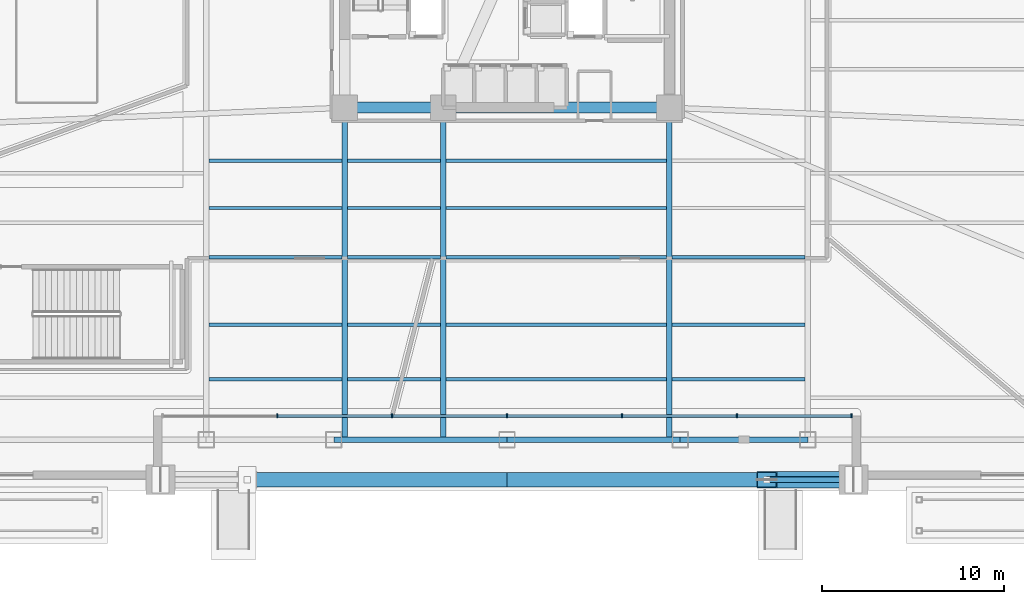
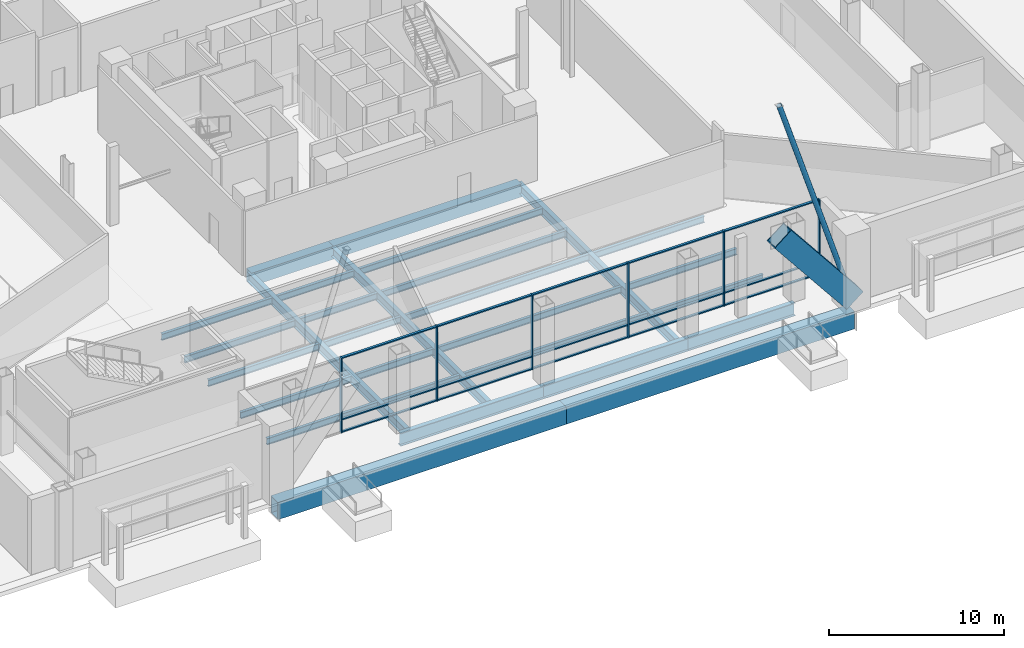
# One storey, part 9 of 27: 29 beams, 22 members, 1 element without a shape of its own.
"""IFC4 building model written with IfcOpenShell, lengths in metres."""

from ifc_helpers import new_model, si_unit, direction, frame, origin, origin_2d, place, context, subcontext, project, spatial, rectangle, hollow_rectangle, hollow_circle, i_section, extrude, material, layer, layer_set, material_profile, profile_set, type_object, element, aggregate, save


model = new_model("IFC4")

# Units and contexts
model_context = context("Model", 3, precision=1e-05, world=origin(), true_north=direction((0.0, 1.0)))
body_context = subcontext(model_context, "Body", "Model", "MODEL_VIEW")
ifc_project = project(units=[si_unit("LENGTHUNIT", "METRE"), si_unit("AREAUNIT", "SQUARE_METRE"), si_unit("VOLUMEUNIT", "CUBIC_METRE"), si_unit("PLANEANGLEUNIT", "RADIAN"), si_unit("MASSUNIT", "GRAM", prefix="KILO")], contexts=[model_context])

# Site, building, storey
site_placement = place(None, origin())
site = spatial("IfcSite", under=ifc_project, at=site_placement, CompositionType="ELEMENT")
building_placement = place(site_placement, origin())
building = spatial("IfcBuilding", under=site, at=building_placement, Name="Tharavind Bronze Gate", CompositionType="ELEMENT")
storey_placement = place(building_placement, origin())
storey = spatial("IfcBuildingStorey", under=building, at=storey_placement, Name="L00", CompositionType="ELEMENT", Elevation=0.0)

# Beams
ifc_material_1 = material(Name="Steel S460", Category="steel")
ifc_material_profile_1 = material_profile(ifc_material_1, hollow_rectangle(XDim=0.89990234375, YDim=1.39990234375, WallThickness=0.054931640625, at=origin_2d()), Name="RHS1400X900X55")
ifc_profile_set_1 = profile_set([ifc_material_profile_1], Name="Steel S460")
beam_type_1 = type_object("IfcBeamType", Name="ARCH RIB GIRDER 1400X900", PredefinedType="USERDEFINED", material=ifc_profile_set_1)
beam_1_placement = place(storey_placement, frame((14.25, -28.0, 6.427978515625), z_axis=(0.625306290614, 0.0, -0.780379422409), x_axis=(0.0, 1.0, 0.0)))
element("IfcBeam", 1, at=beam_1_placement, inside=storey, type_object=beam_type_1, Name="Monumental bronze arch rib chord 8", ObjectType="GIRDER", PredefinedType="USERDEFINED", context=body_context, shape_type="SweptSolid", body=[
    extrude(hollow_rectangle(XDim=0.89990234375, YDim=1.39990234375, WallThickness=0.054931640625, at=origin_2d()), origin(), (0.0, 0.0, 1.0), 7.59619140625),
])
ifc_material_profile_2 = material_profile(ifc_material_1, hollow_rectangle(XDim=0.800048828125, YDim=1.199951171875, WallThickness=0.050048828125, at=origin_2d()), Name="RHS1200X800X50")
ifc_profile_set_2 = profile_set([ifc_material_profile_2], Name="Steel S460")
beam_type_2 = type_object("IfcBeamType", Name="ARCH TIE BEAM 1200X800", PredefinedType="BEAM", material=ifc_profile_set_2)
for number, where, z_axis, x_axis, name in (
    (2, (-19.0, -28.0, -0.89990234375), (1.0, 0.0, 0.0), (0.0, 1.0, 0.0), "Monumental arch base tie girder 1"),
    (3, (0.0, -28.0, -0.89990234375), (1.0, 0.0, 0.0), (0.0, 1.0, 0.0), "Monumental arch base tie girder 2"),
):
    element("IfcBeam", number, at=place(storey_placement, frame(where, z_axis=z_axis, x_axis=x_axis)), inside=storey, type_object=beam_type_2, Name=name, PredefinedType="BEAM", context=body_context, shape_type="SweptSolid", body=[
        extrude(hollow_rectangle(XDim=0.800048828125, YDim=1.199951171875, WallThickness=0.050048828125, at=origin_2d()), origin(), (0.0, 0.0, 1.0), 19.0),
    ])
ifc_material_2 = material(Name="Concrete C50/60", Category="concrete")
ifc_material_profile_3 = material_profile(ifc_material_2, rectangle(XDim=0.60009765625, YDim=0.89990234375, at=origin_2d()), Name="RCBM600X900")
ifc_profile_set_3 = profile_set([ifc_material_profile_3], Name="Concrete C50/60")
beam_type_3 = type_object("IfcBeamType", Name="CORE COUPLING BEAM RC600X900", PredefinedType="BEAM", material=ifc_profile_set_3)
beam_2_placement = place(storey_placement, frame((-8.89990234375, -7.60009765625, -0.75), z_axis=(1.0, 0.0, 0.0), x_axis=(0.0, 1.0, 0.0)))
element("IfcBeam", 4, at=beam_2_placement, inside=storey, type_object=beam_type_3, Name="L00 core coupling beam rc600x900 BM-L00-CR1", PredefinedType="BEAM", context=body_context, shape_type="SweptSolid", body=[
    extrude(rectangle(XDim=0.60009765625, YDim=0.89990234375, at=origin_2d()), origin(), (0.0, 0.0, 1.0), 5.39990234375),
])
beam_3_placement = place(storey_placement, frame((-3.5, -7.60009765625, -0.75), z_axis=(1.0, 0.0, 0.0), x_axis=(0.0, 1.0, 0.0)))
element("IfcBeam", 5, at=beam_3_placement, inside=storey, type_object=beam_type_3, Name="L00 core coupling beam rc600x900 BM-L00-CR2", PredefinedType="BEAM", context=body_context, shape_type="SweptSolid", body=[
    extrude(rectangle(XDim=0.60009765625, YDim=0.89990234375, at=origin_2d()), origin(), (0.0, 0.0, 1.0), 12.39990234375),
])

# Curtain wall, members
ifc_material_3 = material(Name="Anodised Bronze Aluminium", Category="aluminium")
ifc_layer = layer(ifc_material_3, 0.219970703125)
ifc_layer_set = layer_set([ifc_layer], Name="Anodised Bronze Aluminium")
curtain_wall_type = type_object("IfcCurtainWallType", Name="UNITISED CURTAIN WALL PODIUM", PredefinedType="USERDEFINED", material=ifc_layer_set)
curtain_wall_placement = place(storey_placement, origin())
curtain_wall = element("IfcCurtainWall", 6, at=curtain_wall_placement, inside=storey, type_object=curtain_wall_type, Name="L00 unitised curtain wall podium CW-L00-ARCH", ObjectType="UNITISED CURTAIN WALL", PredefinedType="USERDEFINED")
member_type_1 = type_object("IfcMemberType", Name="CURTAIN WALL MULLION 80X220", PredefinedType="MULLION", material=ifc_material_3)
member_1_placement = place(storey_placement, frame((-12.60009765625, -24.5, 0.0), z_axis=(0.0, 0.0, 1.0), x_axis=(1.0, 0.0, 0.0)))
member_1 = element("IfcMember", 7, at=member_1_placement, type_object=member_type_1, Name="CW-L00-ARCH mullion 2", PredefinedType="MULLION", context=body_context, shape_type="SweptSolid", body=[
    extrude(rectangle(XDim=0.080078125, YDim=0.219970703125, at=origin_2d()), origin(), (0.0, 0.0, 1.0), 5.219970703125),
])
member_2_placement = place(storey_placement, frame((-6.300048828125, -24.5, 0.0), z_axis=(0.0, 0.0, 1.0), x_axis=(1.0, 0.0, 0.0)))
member_2 = element("IfcMember", 8, at=member_2_placement, type_object=member_type_1, Name="CW-L00-ARCH mullion 3", PredefinedType="MULLION", context=body_context, shape_type="SweptSolid", body=[
    extrude(rectangle(XDim=0.080078125, YDim=0.219970703125, at=origin_2d()), origin(), (0.0, 0.0, 1.0), 5.219970703125),
])
member_3_placement = place(storey_placement, frame((0.0, -24.5, 0.0), z_axis=(0.0, 0.0, 1.0), x_axis=(1.0, 0.0, 0.0)))
member_3 = element("IfcMember", 9, at=member_3_placement, type_object=member_type_1, Name="CW-L00-ARCH mullion 4", PredefinedType="MULLION", context=body_context, shape_type="SweptSolid", body=[
    extrude(rectangle(XDim=0.080078125, YDim=0.219970703125, at=origin_2d()), origin(), (0.0, 0.0, 1.0), 5.219970703125),
])
member_4_placement = place(storey_placement, frame((6.300048828125, -24.5, 0.0), z_axis=(0.0, 0.0, 1.0), x_axis=(1.0, 0.0, 0.0)))
member_4 = element("IfcMember", 10, at=member_4_placement, type_object=member_type_1, Name="CW-L00-ARCH mullion 5", PredefinedType="MULLION", context=body_context, shape_type="SweptSolid", body=[
    extrude(rectangle(XDim=0.080078125, YDim=0.219970703125, at=origin_2d()), origin(), (0.0, 0.0, 1.0), 5.219970703125),
])
member_5_placement = place(storey_placement, frame((12.60009765625, -24.5, 0.0), z_axis=(0.0, 0.0, 1.0), x_axis=(1.0, 0.0, 0.0)))
member_5 = element("IfcMember", 11, at=member_5_placement, type_object=member_type_1, Name="CW-L00-ARCH mullion 6", PredefinedType="MULLION", context=body_context, shape_type="SweptSolid", body=[
    extrude(rectangle(XDim=0.080078125, YDim=0.219970703125, at=origin_2d()), origin(), (0.0, 0.0, 1.0), 5.219970703125),
])
member_6_placement = place(storey_placement, frame((18.89990234375, -24.5, 0.0), z_axis=(0.0, 0.0, 1.0), x_axis=(1.0, 0.0, 0.0)))
member_6 = element("IfcMember", 12, at=member_6_placement, type_object=member_type_1, Name="CW-L00-ARCH mullion 7", PredefinedType="MULLION", context=body_context, shape_type="SweptSolid", body=[
    extrude(rectangle(XDim=0.080078125, YDim=0.219970703125, at=origin_2d()), origin(), (0.0, 0.0, 1.0), 5.219970703125),
])
member_type_2 = type_object("IfcMemberType", Name="CURTAIN WALL TRANSOM 80X160", PredefinedType="USERDEFINED", material=ifc_material_3)
member_7_placement = place(storey_placement, frame((-9.449951171875, -24.5, 0.0), z_axis=(0.0, 0.0, 1.0), x_axis=(1.0, 0.0, 0.0)))
member_7 = element("IfcMember", 13, at=member_7_placement, type_object=member_type_2, Name="CW-L00-ARCH transom TB2", ObjectType="TRANSOM", PredefinedType="USERDEFINED", context=body_context, shape_type="SweptSolid", body=[
    extrude(rectangle(XDim=6.23193359375, YDim=0.159912109375, at=origin_2d()), origin(), (0.0, 0.0, 1.0), 0.080078125),
])
member_8_placement = place(storey_placement, frame((-9.449951171875, -24.5, 0.85986328125), z_axis=(0.0, 0.0, 1.0), x_axis=(1.0, 0.0, 0.0)))
member_8 = element("IfcMember", 14, at=member_8_placement, type_object=member_type_2, Name="CW-L00-ARCH transom TS2", ObjectType="TRANSOM", PredefinedType="USERDEFINED", context=body_context, shape_type="SweptSolid", body=[
    extrude(rectangle(XDim=6.23193359375, YDim=0.159912109375, at=origin_2d()), origin(), (0.0, 0.0, 1.0), 0.080078125),
])
member_9_placement = place(storey_placement, frame((-9.449951171875, -24.5, 5.139892578125), z_axis=(0.0, 0.0, 1.0), x_axis=(1.0, 0.0, 0.0)))
member_9 = element("IfcMember", 15, at=member_9_placement, type_object=member_type_2, Name="CW-L00-ARCH transom TT2", ObjectType="TRANSOM", PredefinedType="USERDEFINED", context=body_context, shape_type="SweptSolid", body=[
    extrude(rectangle(XDim=6.23193359375, YDim=0.159912109375, at=origin_2d()), origin(), (0.0, 0.0, 1.0), 0.080078125),
])
member_10_placement = place(storey_placement, frame((-3.14990234375, -24.5, 0.0), z_axis=(0.0, 0.0, 1.0), x_axis=(1.0, 0.0, 0.0)))
member_10 = element("IfcMember", 16, at=member_10_placement, type_object=member_type_2, Name="CW-L00-ARCH transom TB3", ObjectType="TRANSOM", PredefinedType="USERDEFINED", context=body_context, shape_type="SweptSolid", body=[
    extrude(rectangle(XDim=6.23193359375, YDim=0.159912109375, at=origin_2d()), origin(), (0.0, 0.0, 1.0), 0.080078125),
])
member_11_placement = place(storey_placement, frame((-3.14990234375, -24.5, 0.85986328125), z_axis=(0.0, 0.0, 1.0), x_axis=(1.0, 0.0, 0.0)))
member_11 = element("IfcMember", 17, at=member_11_placement, type_object=member_type_2, Name="CW-L00-ARCH transom TS3", ObjectType="TRANSOM", PredefinedType="USERDEFINED", context=body_context, shape_type="SweptSolid", body=[
    extrude(rectangle(XDim=6.23193359375, YDim=0.159912109375, at=origin_2d()), origin(), (0.0, 0.0, 1.0), 0.080078125),
])
member_12_placement = place(storey_placement, frame((-3.14990234375, -24.5, 5.139892578125), z_axis=(0.0, 0.0, 1.0), x_axis=(1.0, 0.0, 0.0)))
member_12 = element("IfcMember", 18, at=member_12_placement, type_object=member_type_2, Name="CW-L00-ARCH transom TT3", ObjectType="TRANSOM", PredefinedType="USERDEFINED", context=body_context, shape_type="SweptSolid", body=[
    extrude(rectangle(XDim=6.23193359375, YDim=0.159912109375, at=origin_2d()), origin(), (0.0, 0.0, 1.0), 0.080078125),
])
member_13_placement = place(storey_placement, frame((3.14990234375, -24.5, 0.0), z_axis=(0.0, 0.0, 1.0), x_axis=(1.0, 0.0, 0.0)))
member_13 = element("IfcMember", 19, at=member_13_placement, type_object=member_type_2, Name="CW-L00-ARCH transom TB4", ObjectType="TRANSOM", PredefinedType="USERDEFINED", context=body_context, shape_type="SweptSolid", body=[
    extrude(rectangle(XDim=6.23193359375, YDim=0.159912109375, at=origin_2d()), origin(), (0.0, 0.0, 1.0), 0.080078125),
])
member_14_placement = place(storey_placement, frame((3.14990234375, -24.5, 0.85986328125), z_axis=(0.0, 0.0, 1.0), x_axis=(1.0, 0.0, 0.0)))
member_14 = element("IfcMember", 20, at=member_14_placement, type_object=member_type_2, Name="CW-L00-ARCH transom TS4", ObjectType="TRANSOM", PredefinedType="USERDEFINED", context=body_context, shape_type="SweptSolid", body=[
    extrude(rectangle(XDim=6.23193359375, YDim=0.159912109375, at=origin_2d()), origin(), (0.0, 0.0, 1.0), 0.080078125),
])
member_15_placement = place(storey_placement, frame((3.14990234375, -24.5, 5.139892578125), z_axis=(0.0, 0.0, 1.0), x_axis=(1.0, 0.0, 0.0)))
member_15 = element("IfcMember", 21, at=member_15_placement, type_object=member_type_2, Name="CW-L00-ARCH transom TT4", ObjectType="TRANSOM", PredefinedType="USERDEFINED", context=body_context, shape_type="SweptSolid", body=[
    extrude(rectangle(XDim=6.23193359375, YDim=0.159912109375, at=origin_2d()), origin(), (0.0, 0.0, 1.0), 0.080078125),
])
member_16_placement = place(storey_placement, frame((9.449951171875, -24.5, 0.0), z_axis=(0.0, 0.0, 1.0), x_axis=(1.0, 0.0, 0.0)))
member_16 = element("IfcMember", 22, at=member_16_placement, type_object=member_type_2, Name="CW-L00-ARCH transom TB5", ObjectType="TRANSOM", PredefinedType="USERDEFINED", context=body_context, shape_type="SweptSolid", body=[
    extrude(rectangle(XDim=6.23193359375, YDim=0.159912109375, at=origin_2d()), origin(), (0.0, 0.0, 1.0), 0.080078125),
])
member_17_placement = place(storey_placement, frame((9.449951171875, -24.5, 0.85986328125), z_axis=(0.0, 0.0, 1.0), x_axis=(1.0, 0.0, 0.0)))
member_17 = element("IfcMember", 23, at=member_17_placement, type_object=member_type_2, Name="CW-L00-ARCH transom TS5", ObjectType="TRANSOM", PredefinedType="USERDEFINED", context=body_context, shape_type="SweptSolid", body=[
    extrude(rectangle(XDim=6.23193359375, YDim=0.159912109375, at=origin_2d()), origin(), (0.0, 0.0, 1.0), 0.080078125),
])
member_18_placement = place(storey_placement, frame((9.449951171875, -24.5, 5.139892578125), z_axis=(0.0, 0.0, 1.0), x_axis=(1.0, 0.0, 0.0)))
member_18 = element("IfcMember", 24, at=member_18_placement, type_object=member_type_2, Name="CW-L00-ARCH transom TT5", ObjectType="TRANSOM", PredefinedType="USERDEFINED", context=body_context, shape_type="SweptSolid", body=[
    extrude(rectangle(XDim=6.23193359375, YDim=0.159912109375, at=origin_2d()), origin(), (0.0, 0.0, 1.0), 0.080078125),
])
member_19_placement = place(storey_placement, frame((15.75, -24.5, 0.0), z_axis=(0.0, 0.0, 1.0), x_axis=(1.0, 0.0, 0.0)))
member_19 = element("IfcMember", 25, at=member_19_placement, type_object=member_type_2, Name="CW-L00-ARCH transom TB6", ObjectType="TRANSOM", PredefinedType="USERDEFINED", context=body_context, shape_type="SweptSolid", body=[
    extrude(rectangle(XDim=6.23193359375, YDim=0.159912109375, at=origin_2d()), origin(), (0.0, 0.0, 1.0), 0.080078125),
])
member_20_placement = place(storey_placement, frame((15.75, -24.5, 0.85986328125), z_axis=(0.0, 0.0, 1.0), x_axis=(1.0, 0.0, 0.0)))
member_20 = element("IfcMember", 26, at=member_20_placement, type_object=member_type_2, Name="CW-L00-ARCH transom TS6", ObjectType="TRANSOM", PredefinedType="USERDEFINED", context=body_context, shape_type="SweptSolid", body=[
    extrude(rectangle(XDim=6.23193359375, YDim=0.159912109375, at=origin_2d()), origin(), (0.0, 0.0, 1.0), 0.080078125),
])
member_21_placement = place(storey_placement, frame((15.75, -24.5, 5.139892578125), z_axis=(0.0, 0.0, 1.0), x_axis=(1.0, 0.0, 0.0)))
member_21 = element("IfcMember", 27, at=member_21_placement, type_object=member_type_2, Name="CW-L00-ARCH transom TT6", ObjectType="TRANSOM", PredefinedType="USERDEFINED", context=body_context, shape_type="SweptSolid", body=[
    extrude(rectangle(XDim=6.23193359375, YDim=0.159912109375, at=origin_2d()), origin(), (0.0, 0.0, 1.0), 0.080078125),
])
aggregate(curtain_wall, [member_1, member_2, member_3, member_4, member_5, member_6, member_7, member_8, member_9, member_10, member_11, member_12, member_13, member_14, member_15, member_16, member_17, member_18, member_19, member_20, member_21])

# Member
ifc_material_profile_4 = material_profile(ifc_material_1, hollow_circle(Radius=0.161865234375, WallThickness=0.01611328125, at=origin_2d()), Name="CHS323X16")
ifc_profile_set_4 = profile_set([ifc_material_profile_4], Name="Steel S460")
member_type_3 = type_object("IfcMemberType", Name="PODIUM ARCH BRACE CHS323", PredefinedType="BRACE", material=ifc_profile_set_4)
member_22_placement = place(storey_placement, frame((14.25, -28.0, 15.489990234375), z_axis=(0.302074907341, 0.0, -0.95328419181), x_axis=(0.0, 1.0, 0.0)))
element("IfcMember", 28, at=member_22_placement, inside=storey, type_object=member_type_3, Name="Monumental arch spandrel truss diagonal 8", PredefinedType="BRACE", context=body_context, shape_type="SweptSolid", body=[
    extrude(hollow_circle(Radius=0.161865234375, WallThickness=0.01611328125, at=origin_2d()), origin(), (0.0, 0.0, 1.0), 15.724609375),
])

# Beams
ifc_material_4 = material(Name="Steel S355", Category="steel")
ifc_material_profile_5 = material_profile(ifc_material_4, i_section(OverallWidth=0.300048828125, OverallDepth=0.64990234375, WebThickness=0.01611328125, FlangeThickness=0.031005859375, at=origin_2d()), Name="HE650B")
ifc_profile_set_5 = profile_set([ifc_material_profile_5], Name="Steel S355")
beam_type_4 = type_object("IfcBeamType", Name="PRIMARY GIRDER HE650B", PredefinedType="USERDEFINED", material=ifc_profile_set_5)
for number, where, z_axis, x_axis, name in (
    (29, (-8.89990234375, -25.800048828125, -0.625), (0.0, 1.0, 0.0), (-1.0, 0.0, 0.0), "L00 primary girder he650b BM-L00-GS2"),
    (30, (-3.5, -25.800048828125, -0.625), (0.0, 1.0, 0.0), (-1.0, 0.0, 0.0), "L00 primary girder he650b BM-L00-GS3"),
    (31, (8.89990234375, -25.800048828125, -0.625), (0.0, 1.0, 0.0), (-1.0, 0.0, 0.0), "L00 primary girder he650b BM-L00-GS4"),
):
    element("IfcBeam", number, at=place(storey_placement, frame(where, z_axis=z_axis, x_axis=x_axis)), inside=storey, type_object=beam_type_4, Name=name, ObjectType="GIRDER", PredefinedType="USERDEFINED", context=body_context, shape_type="SweptSolid", body=[
        extrude(i_section(OverallWidth=0.300048828125, OverallDepth=0.64990234375, WebThickness=0.01611328125, FlangeThickness=0.031005859375, at=origin_2d()), origin(), (0.0, 0.0, 1.0), 18.199951171875),
    ])
ifc_material_profile_6 = material_profile(ifc_material_4, i_section(OverallWidth=0.18994140625, OverallDepth=0.449951171875, WebThickness=0.009521484375, FlangeThickness=0.0146484375, at=origin_2d()), Name="IPE450")
ifc_profile_set_6 = profile_set([ifc_material_profile_6], Name="Steel S355")
beam_type_5 = type_object("IfcBeamType", Name="SECONDARY FLOOR JOIST IPE450", PredefinedType="JOIST", material=ifc_profile_set_6)
beam_4_placement = place(storey_placement, frame((-8.748046875, -22.5, -0.52490234375), z_axis=(1.0, 0.0, 0.0), x_axis=(0.0, 1.0, 0.0)))
element("IfcBeam", 32, at=beam_4_placement, inside=storey, type_object=beam_type_5, Name="L00 secondary floor joist ipe450 BM-L00-JSS1A", PredefinedType="JOIST", context=body_context, shape_type="SweptSolid", body=[
    extrude(i_section(OverallWidth=0.18994140625, OverallDepth=0.449951171875, WebThickness=0.009521484375, FlangeThickness=0.0146484375, at=origin_2d()), origin(), (0.0, 0.0, 1.0), 5.095947265625),
])
beam_5_placement = place(storey_placement, frame((-3.347900390625, -22.5, -0.52490234375), z_axis=(1.0, 0.0, 0.0), x_axis=(0.0, 1.0, 0.0)))
element("IfcBeam", 33, at=beam_5_placement, inside=storey, type_object=beam_type_5, Name="L00 secondary floor joist ipe450 BM-L00-JSS1B", PredefinedType="JOIST", context=body_context, shape_type="SweptSolid", body=[
    extrude(i_section(OverallWidth=0.18994140625, OverallDepth=0.449951171875, WebThickness=0.009521484375, FlangeThickness=0.0146484375, at=origin_2d()), origin(), (0.0, 0.0, 1.0), 12.095947265625),
])
for number, where, z_axis, x_axis, name in (
    (34, (-16.347900390625, -22.5, -0.52490234375), (1.0, 0.0, 0.0), (0.0, 1.0, 0.0), "L00 secondary floor joist ipe450 BM-L00-JSS1W"),
    (35, (9.052001953125, -22.5, -0.52490234375), (1.0, 0.0, 0.0), (0.0, 1.0, 0.0), "L00 secondary floor joist ipe450 BM-L00-JSS1E"),
):
    element("IfcBeam", number, at=place(storey_placement, frame(where, z_axis=z_axis, x_axis=x_axis)), inside=storey, type_object=beam_type_5, Name=name, PredefinedType="JOIST", context=body_context, shape_type="SweptSolid", body=[
        extrude(i_section(OverallWidth=0.18994140625, OverallDepth=0.449951171875, WebThickness=0.009521484375, FlangeThickness=0.0146484375, at=origin_2d()), origin(), (0.0, 0.0, 1.0), 7.2958984375),
    ])
beam_6_placement = place(storey_placement, frame((-8.748046875, -19.5, -0.52490234375), z_axis=(1.0, 0.0, 0.0), x_axis=(0.0, 1.0, 0.0)))
element("IfcBeam", 36, at=beam_6_placement, inside=storey, type_object=beam_type_5, Name="L00 secondary floor joist ipe450 BM-L00-JSS2A", PredefinedType="JOIST", context=body_context, shape_type="SweptSolid", body=[
    extrude(i_section(OverallWidth=0.18994140625, OverallDepth=0.449951171875, WebThickness=0.009521484375, FlangeThickness=0.0146484375, at=origin_2d()), origin(), (0.0, 0.0, 1.0), 5.095947265625),
])
beam_7_placement = place(storey_placement, frame((-3.347900390625, -19.5, -0.52490234375), z_axis=(1.0, 0.0, 0.0), x_axis=(0.0, 1.0, 0.0)))
element("IfcBeam", 37, at=beam_7_placement, inside=storey, type_object=beam_type_5, Name="L00 secondary floor joist ipe450 BM-L00-JSS2B", PredefinedType="JOIST", context=body_context, shape_type="SweptSolid", body=[
    extrude(i_section(OverallWidth=0.18994140625, OverallDepth=0.449951171875, WebThickness=0.009521484375, FlangeThickness=0.0146484375, at=origin_2d()), origin(), (0.0, 0.0, 1.0), 12.095947265625),
])
for number, where, z_axis, x_axis, name in (
    (38, (-16.347900390625, -19.5, -0.52490234375), (1.0, 0.0, 0.0), (0.0, 1.0, 0.0), "L00 secondary floor joist ipe450 BM-L00-JSS2W"),
    (39, (9.052001953125, -19.5, -0.52490234375), (1.0, 0.0, 0.0), (0.0, 1.0, 0.0), "L00 secondary floor joist ipe450 BM-L00-JSS2E"),
):
    element("IfcBeam", number, at=place(storey_placement, frame(where, z_axis=z_axis, x_axis=x_axis)), inside=storey, type_object=beam_type_5, Name=name, PredefinedType="JOIST", context=body_context, shape_type="SweptSolid", body=[
        extrude(i_section(OverallWidth=0.18994140625, OverallDepth=0.449951171875, WebThickness=0.009521484375, FlangeThickness=0.0146484375, at=origin_2d()), origin(), (0.0, 0.0, 1.0), 7.2958984375),
    ])
beam_8_placement = place(storey_placement, frame((-8.748046875, -15.800048828125, -0.52490234375), z_axis=(1.0, 0.0, 0.0), x_axis=(0.0, 1.0, 0.0)))
element("IfcBeam", 40, at=beam_8_placement, inside=storey, type_object=beam_type_5, Name="L00 secondary floor joist ipe450 BM-L00-JSS3A", PredefinedType="JOIST", context=body_context, shape_type="SweptSolid", body=[
    extrude(i_section(OverallWidth=0.18994140625, OverallDepth=0.449951171875, WebThickness=0.009521484375, FlangeThickness=0.0146484375, at=origin_2d()), origin(), (0.0, 0.0, 1.0), 5.095947265625),
])
beam_9_placement = place(storey_placement, frame((-3.347900390625, -15.800048828125, -0.52490234375), z_axis=(1.0, 0.0, 0.0), x_axis=(0.0, 1.0, 0.0)))
element("IfcBeam", 41, at=beam_9_placement, inside=storey, type_object=beam_type_5, Name="L00 secondary floor joist ipe450 BM-L00-JSS3B", PredefinedType="JOIST", context=body_context, shape_type="SweptSolid", body=[
    extrude(i_section(OverallWidth=0.18994140625, OverallDepth=0.449951171875, WebThickness=0.009521484375, FlangeThickness=0.0146484375, at=origin_2d()), origin(), (0.0, 0.0, 1.0), 12.095947265625),
])
for number, where, z_axis, x_axis, name in (
    (42, (-16.347900390625, -15.800048828125, -0.52490234375), (1.0, 0.0, 0.0), (0.0, 1.0, 0.0), "L00 secondary floor joist ipe450 BM-L00-JSS3W"),
    (43, (9.052001953125, -15.800048828125, -0.52490234375), (1.0, 0.0, 0.0), (0.0, 1.0, 0.0), "L00 secondary floor joist ipe450 BM-L00-JSS3E"),
):
    element("IfcBeam", number, at=place(storey_placement, frame(where, z_axis=z_axis, x_axis=x_axis)), inside=storey, type_object=beam_type_5, Name=name, PredefinedType="JOIST", context=body_context, shape_type="SweptSolid", body=[
        extrude(i_section(OverallWidth=0.18994140625, OverallDepth=0.449951171875, WebThickness=0.009521484375, FlangeThickness=0.0146484375, at=origin_2d()), origin(), (0.0, 0.0, 1.0), 7.2958984375),
    ])
beam_10_placement = place(storey_placement, frame((-8.748046875, -13.10009765625, -0.52490234375), z_axis=(1.0, 0.0, 0.0), x_axis=(0.0, 1.0, 0.0)))
element("IfcBeam", 44, at=beam_10_placement, inside=storey, type_object=beam_type_5, Name="L00 secondary floor joist ipe450 BM-L00-JSS4A", PredefinedType="JOIST", context=body_context, shape_type="SweptSolid", body=[
    extrude(i_section(OverallWidth=0.18994140625, OverallDepth=0.449951171875, WebThickness=0.009521484375, FlangeThickness=0.0146484375, at=origin_2d()), origin(), (0.0, 0.0, 1.0), 5.095947265625),
])
beam_11_placement = place(storey_placement, frame((-3.347900390625, -13.10009765625, -0.52490234375), z_axis=(1.0, 0.0, 0.0), x_axis=(0.0, 1.0, 0.0)))
element("IfcBeam", 45, at=beam_11_placement, inside=storey, type_object=beam_type_5, Name="L00 secondary floor joist ipe450 BM-L00-JSS4B", PredefinedType="JOIST", context=body_context, shape_type="SweptSolid", body=[
    extrude(i_section(OverallWidth=0.18994140625, OverallDepth=0.449951171875, WebThickness=0.009521484375, FlangeThickness=0.0146484375, at=origin_2d()), origin(), (0.0, 0.0, 1.0), 12.095947265625),
])
beam_12_placement = place(storey_placement, frame((-16.347900390625, -13.10009765625, -0.52490234375), z_axis=(1.0, 0.0, 0.0), x_axis=(0.0, 1.0, 0.0)))
element("IfcBeam", 46, at=beam_12_placement, inside=storey, type_object=beam_type_5, Name="L00 secondary floor joist ipe450 BM-L00-JSS4W", PredefinedType="JOIST", context=body_context, shape_type="SweptSolid", body=[
    extrude(i_section(OverallWidth=0.18994140625, OverallDepth=0.449951171875, WebThickness=0.009521484375, FlangeThickness=0.0146484375, at=origin_2d()), origin(), (0.0, 0.0, 1.0), 7.2958984375),
])
beam_13_placement = place(storey_placement, frame((-8.748046875, -10.5, -0.52490234375), z_axis=(1.0, 0.0, 0.0), x_axis=(0.0, 1.0, 0.0)))
element("IfcBeam", 47, at=beam_13_placement, inside=storey, type_object=beam_type_5, Name="L00 secondary floor joist ipe450 BM-L00-JSS5A", PredefinedType="JOIST", context=body_context, shape_type="SweptSolid", body=[
    extrude(i_section(OverallWidth=0.18994140625, OverallDepth=0.449951171875, WebThickness=0.009521484375, FlangeThickness=0.0146484375, at=origin_2d()), origin(), (0.0, 0.0, 1.0), 5.095947265625),
])
beam_14_placement = place(storey_placement, frame((-3.347900390625, -10.5, -0.52490234375), z_axis=(1.0, 0.0, 0.0), x_axis=(0.0, 1.0, 0.0)))
element("IfcBeam", 48, at=beam_14_placement, inside=storey, type_object=beam_type_5, Name="L00 secondary floor joist ipe450 BM-L00-JSS5B", PredefinedType="JOIST", context=body_context, shape_type="SweptSolid", body=[
    extrude(i_section(OverallWidth=0.18994140625, OverallDepth=0.449951171875, WebThickness=0.009521484375, FlangeThickness=0.0146484375, at=origin_2d()), origin(), (0.0, 0.0, 1.0), 12.095947265625),
])
beam_15_placement = place(storey_placement, frame((-16.347900390625, -10.5, -0.52490234375), z_axis=(1.0, 0.0, 0.0), x_axis=(0.0, 1.0, 0.0)))
element("IfcBeam", 49, at=beam_15_placement, inside=storey, type_object=beam_type_5, Name="L00 secondary floor joist ipe450 BM-L00-JSS5W", PredefinedType="JOIST", context=body_context, shape_type="SweptSolid", body=[
    extrude(i_section(OverallWidth=0.18994140625, OverallDepth=0.449951171875, WebThickness=0.009521484375, FlangeThickness=0.0146484375, at=origin_2d()), origin(), (0.0, 0.0, 1.0), 7.2958984375),
])
ifc_material_profile_7 = material_profile(ifc_material_4, i_section(OverallWidth=0.300048828125, OverallDepth=0.89990234375, WebThickness=0.0185546875, FlangeThickness=0.034912109375, at=origin_2d()), Name="HE900B")
ifc_profile_set_7 = profile_set([ifc_material_profile_7], Name="Steel S355")
beam_type_6 = type_object("IfcBeamType", Name="SPANDREL RING BEAM HE900B", PredefinedType="SPANDREL", material=ifc_profile_set_7)
for number, where, z_axis, x_axis, name in (
    (50, (-9.5, -25.800048828125, -0.75), (1.0, 0.0, 0.0), (0.0, 1.0, 0.0), "L00 spandrel ring beam he900b BM-L00-PS3"),
    (51, (0.0, -25.800048828125, -0.75), (1.0, 0.0, 0.0), (0.0, 1.0, 0.0), "L00 spandrel ring beam he900b BM-L00-PS4"),
):
    element("IfcBeam", number, at=place(storey_placement, frame(where, z_axis=z_axis, x_axis=x_axis)), inside=storey, type_object=beam_type_6, Name=name, PredefinedType="SPANDREL", context=body_context, shape_type="SweptSolid", body=[
        extrude(i_section(OverallWidth=0.300048828125, OverallDepth=0.89990234375, WebThickness=0.0185546875, FlangeThickness=0.034912109375, at=origin_2d()), origin(), (0.0, 0.0, 1.0), 9.5),
    ])
beam_16_placement = place(storey_placement, frame((9.5, -25.800048828125, -0.75), z_axis=(1.0, 0.0, 0.0), x_axis=(0.0, 1.0, 0.0)))
element("IfcBeam", 52, at=beam_16_placement, inside=storey, type_object=beam_type_6, Name="L00 spandrel ring beam he900b BM-L00-PS5", PredefinedType="SPANDREL", context=body_context, shape_type="SweptSolid", body=[
    extrude(i_section(OverallWidth=0.300048828125, OverallDepth=0.89990234375, WebThickness=0.0185546875, FlangeThickness=0.034912109375, at=origin_2d()), origin(), (0.0, 0.0, 1.0), 7.0),
])

save(model, "model.ifc")
